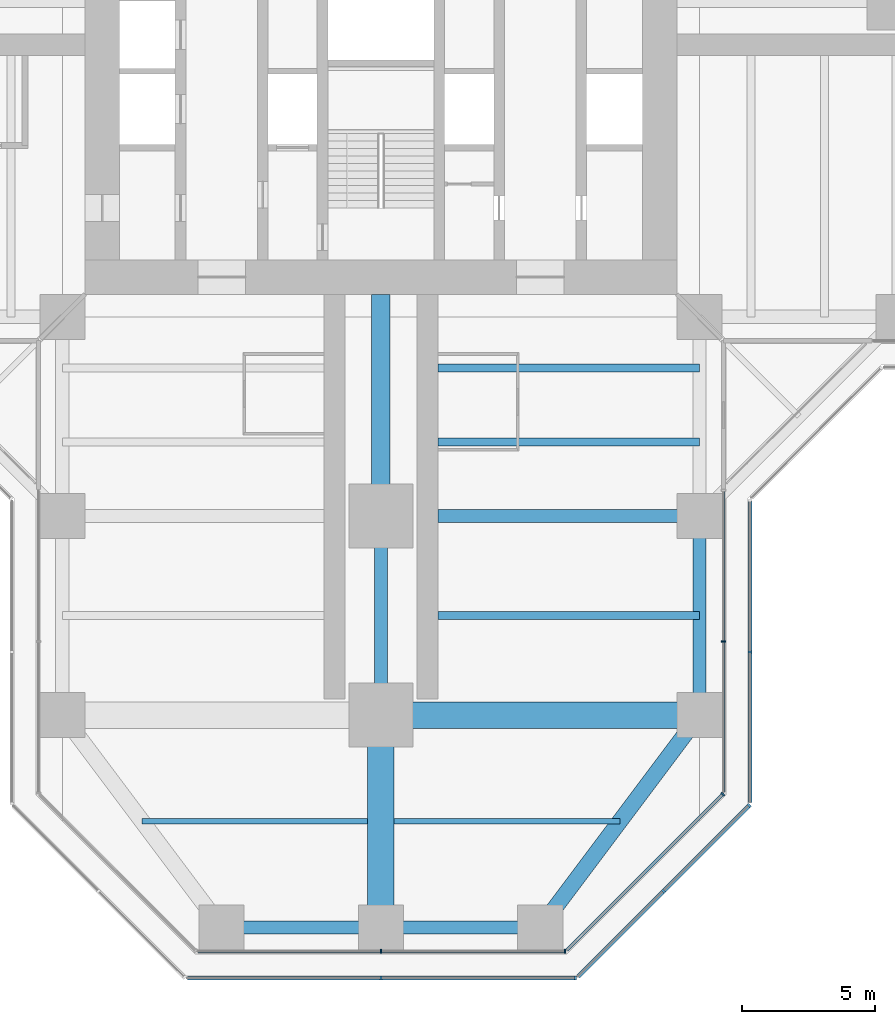
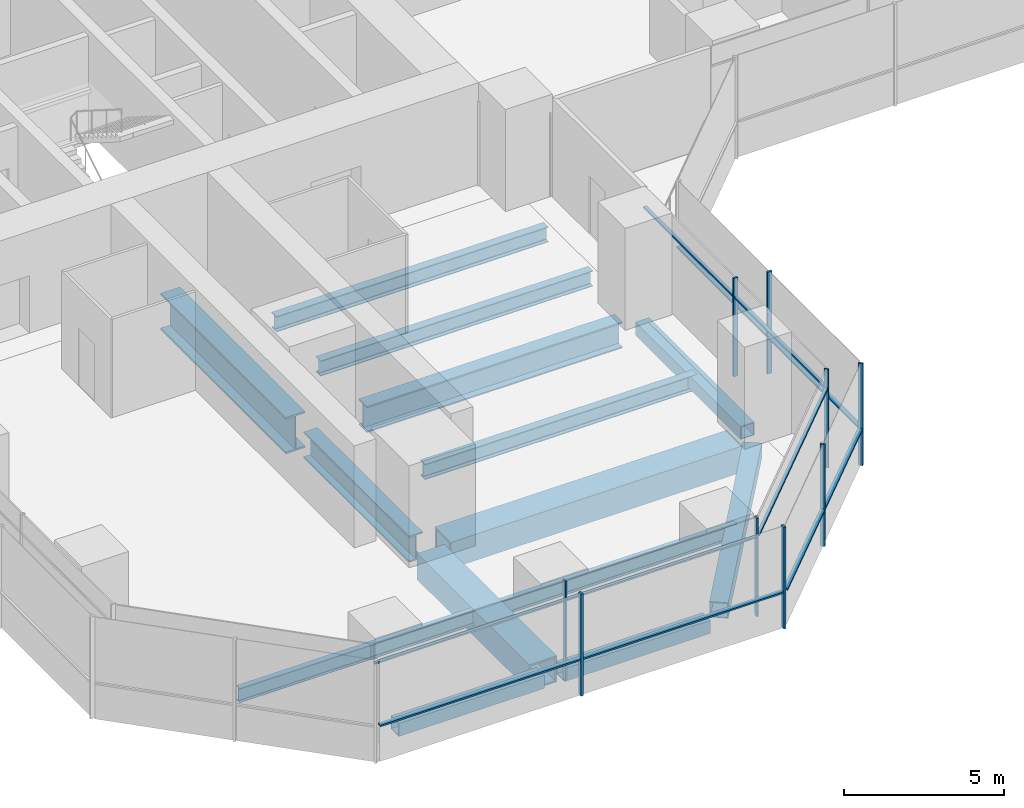
# One storey, part 5 of 22: 20 members, 14 beams, 6 elements without a shape of their own.
"""IFC4 building model written with IfcOpenShell, lengths in metres."""

from ifc_helpers import new_model, si_unit, direction, frame, origin, origin_2d, place, context, subcontext, project, spatial, rectangle, hollow_rectangle, i_section, extrude, material, material_profile, profile_set, type_object, element, aggregate, save


model = new_model("IFC4")

# Units and contexts
model_context = context("Model", 3, precision=1e-05, world=origin(), true_north=direction((0.0, 1.0)))
body_context = subcontext(model_context, "Body", "Model", "MODEL_VIEW")
ifc_project = project(units=[si_unit("LENGTHUNIT", "METRE"), si_unit("AREAUNIT", "SQUARE_METRE"), si_unit("VOLUMEUNIT", "CUBIC_METRE"), si_unit("PLANEANGLEUNIT", "RADIAN"), si_unit("MASSUNIT", "GRAM", prefix="KILO")], contexts=[model_context])

# Site, building, storey
site_placement = place(None, origin())
site = spatial("IfcSite", under=ifc_project, at=site_placement, CompositionType="ELEMENT")
building_placement = place(site_placement, origin())
building = spatial("IfcBuilding", under=site, at=building_placement, Name="Mizan Broadcast Tower", CompositionType="ELEMENT")
storey_placement = place(building_placement, frame((0.0, 0.0, 47.39990234375)))
storey = spatial("IfcBuildingStorey", under=building, at=storey_placement, Name="L08", CompositionType="ELEMENT", Elevation=47.39990234375)

# Beams
ifc_material_1 = material(Name="Steel S355", Category="steel")
ifc_material_profile_1 = material_profile(ifc_material_1, hollow_rectangle(XDim=0.5, YDim=0.5, WallThickness=0.030029296875, at=origin_2d()), Name="BOX 500x500x30")
ifc_profile_set_1 = profile_set([ifc_material_profile_1], Name="Steel S355")
beam_type_1 = type_object("IfcBeamType", Name="EDGE BEAM BOX 500x500x30", PredefinedType="SPANDREL", material=ifc_profile_set_1)
beam_1_placement = place(storey_placement, frame((-5.639892578125, -35.0, -0.3798828125), z_axis=(1.0, 0.0, 0.0), x_axis=(0.0, 1.0, 0.0)))
element("IfcBeam", 1, at=beam_1_placement, inside=storey, type_object=beam_type_1, Name="Edge beam BOX 500x500x30 L08 south arm", PredefinedType="SPANDREL", context=body_context, shape_type="SweptSolid", body=[
    extrude(hollow_rectangle(XDim=0.5, YDim=0.5, WallThickness=0.030029296875, at=origin_2d()), origin(), (0.0, 0.0, 1.0), 5.27978515625),
])
beam_2_placement = place(storey_placement, frame((12.0, -19.949951171875, -0.3798828125), z_axis=(0.0, -1.0, 0.0), x_axis=(1.0, 0.0, 0.0)))
element("IfcBeam", 2, at=beam_2_placement, inside=storey, type_object=beam_type_1, Name="Edge beam BOX 500x500x30 L08 south arm", PredefinedType="SPANDREL", context=body_context, shape_type="SweptSolid", body=[
    extrude(hollow_rectangle(XDim=0.5, YDim=0.5, WallThickness=0.030029296875, at=origin_2d()), origin(), (0.0, 0.0, 1.0), 6.60009765625),
])
beam_3_placement = place(storey_placement, frame((5.639892578125, -35.0, -0.3798828125), z_axis=(-1.0, 0.0, 0.0), x_axis=(0.0, -1.0, 0.0)))
element("IfcBeam", 3, at=beam_3_placement, inside=storey, type_object=beam_type_1, Name="Edge beam BOX 500x500x30 L08 south arm", PredefinedType="SPANDREL", context=body_context, shape_type="SweptSolid", body=[
    extrude(hollow_rectangle(XDim=0.5, YDim=0.5, WallThickness=0.030029296875, at=origin_2d()), origin(), (0.0, 0.0, 1.0), 5.27978515625),
])
ifc_material_2 = material(Name="Steel S355", Category="steel")
ifc_material_profile_2 = material_profile(ifc_material_2, hollow_rectangle(XDim=0.60009765625, YDim=0.60009765625, WallThickness=0.030029296875, at=origin_2d()), Name="BOX 600x600x30")
ifc_profile_set_2 = profile_set([ifc_material_profile_2], Name="Steel S355")
beam_type_2 = type_object("IfcBeamType", Name="EDGE BEAM BOX 600x600x30", PredefinedType="SPANDREL", material=ifc_profile_set_2)
beam_4_placement = place(storey_placement, frame((11.639892578125, -27.47998046875, -0.429931640625), z_axis=(-0.599982243973, -0.800013316712, 0.0), x_axis=(0.800013316712, -0.599982243973, 0.0)))
element("IfcBeam", 4, at=beam_4_placement, inside=storey, type_object=beam_type_2, Name="Edge beam BOX 600x600x30 L08 south arm", PredefinedType="SPANDREL", context=body_context, shape_type="SweptSolid", body=[
    extrude(hollow_rectangle(XDim=0.60009765625, YDim=0.60009765625, WallThickness=0.030029296875, at=origin_2d()), origin(), (0.0, 0.0, 1.0), 8.7998046875),
])
ifc_material_3 = material(Name="Steel S460", Category="steel")
ifc_material_profile_3 = material_profile(ifc_material_3, hollow_rectangle(XDim=1.0, YDim=1.0, WallThickness=0.06005859375, at=origin_2d()), Name="BOX 1000x1000x60")
ifc_profile_set_3 = profile_set([ifc_material_profile_3], Name="Steel S460")
beam_type_3 = type_object("IfcBeamType", Name="GIRDER BOX 1000x1000x60", PredefinedType="BEAM", material=ifc_profile_set_3)
beam_5_placement = place(storey_placement, frame((0.0, -27.47998046875, -0.6298828125), z_axis=(0.0, -1.0, 0.0), x_axis=(1.0, 0.0, 0.0)))
element("IfcBeam", 5, at=beam_5_placement, inside=storey, type_object=beam_type_3, Name="Girder BOX 1000x1000x60 L08 south arm", PredefinedType="BEAM", context=body_context, shape_type="SweptSolid", body=[
    extrude(hollow_rectangle(XDim=1.0, YDim=1.0, WallThickness=0.06005859375, at=origin_2d()), origin(), (0.0, 0.0, 1.0), 7.0400390625),
])
ifc_material_4 = material(Name="Steel S460", Category="steel")
ifc_material_profile_4 = material_profile(ifc_material_4, hollow_rectangle(XDim=1.0, YDim=1.0, WallThickness=0.080078125, at=origin_2d()), Name="BOX 1000x1000x80")
ifc_profile_set_4 = profile_set([ifc_material_profile_4], Name="Steel S460")
beam_type_4 = type_object("IfcBeamType", Name="GIRDER BOX 1000x1000x80", PredefinedType="BEAM", material=ifc_profile_set_4)
beam_6_placement = place(storey_placement, frame((11.280029296875, -27.0, -0.6298828125), z_axis=(-1.0, 0.0, 0.0), x_axis=(0.0, -1.0, 0.0)))
element("IfcBeam", 6, at=beam_6_placement, inside=storey, type_object=beam_type_4, Name="Girder BOX 1000x1000x80 L08 south arm", PredefinedType="BEAM", context=body_context, shape_type="SweptSolid", body=[
    extrude(hollow_rectangle(XDim=1.0, YDim=1.0, WallThickness=0.080078125, at=origin_2d()), origin(), (0.0, 0.0, 1.0), 10.56005859375),
])
ifc_material_5 = material(Name="Steel S460", Category="steel")
ifc_material_profile_5 = material_profile(ifc_material_5, i_section(OverallWidth=0.5, OverallDepth=1.0, WebThickness=0.02490234375, FlangeThickness=0.050048828125, at=origin_2d()), Name="WPG 1000x500")
ifc_profile_set_5 = profile_set([ifc_material_profile_5], Name="Steel S460")
beam_type_5 = type_object("IfcBeamType", Name="GIRDER WPG 1000x500", PredefinedType="BEAM", material=ifc_profile_set_5)
beam_7_placement = place(storey_placement, frame((0.0, -19.949951171875, -0.6298828125), z_axis=(0.0, -1.0, 0.0), x_axis=(1.0, 0.0, 0.0)))
element("IfcBeam", 7, at=beam_7_placement, inside=storey, type_object=beam_type_5, Name="Girder WPG 1000x500 L08 south arm", PredefinedType="BEAM", context=body_context, shape_type="SweptSolid", body=[
    extrude(i_section(OverallWidth=0.5, OverallDepth=1.0, WebThickness=0.02490234375, FlangeThickness=0.050048828125, at=origin_2d()), origin(), (0.0, 0.0, 1.0), 6.60009765625),
])
beam_8_placement = place(storey_placement, frame((11.408935546875, -19.5, -0.6298828125), z_axis=(-1.0, 0.0, 0.0), x_axis=(0.0, -1.0, 0.0)))
element("IfcBeam", 8, at=beam_8_placement, inside=storey, type_object=beam_type_5, Name="Girder WPG 1000x500 L08 south arm", PredefinedType="BEAM", context=body_context, shape_type="SweptSolid", body=[
    extrude(i_section(OverallWidth=0.5, OverallDepth=1.0, WebThickness=0.02490234375, FlangeThickness=0.050048828125, at=origin_2d()), origin(), (0.0, 0.0, 1.0), 9.259033203125),
])
ifc_material_6 = material(Name="Steel S460", Category="steel")
ifc_material_profile_6 = material_profile(ifc_material_6, i_section(OverallWidth=0.699951171875, OverallDepth=1.39990234375, WebThickness=0.030029296875, FlangeThickness=0.070068359375, at=origin_2d()), Name="WPG 1400x700")
ifc_profile_set_6 = profile_set([ifc_material_profile_6], Name="Steel S460")
beam_type_6 = type_object("IfcBeamType", Name="GIRDER WPG 1400x700", PredefinedType="BEAM", material=ifc_profile_set_6)
beam_9_placement = place(storey_placement, frame((0.0, -11.14990234375, -0.829833984375), z_axis=(0.0, -1.0, 0.0), x_axis=(1.0, 0.0, 0.0)))
element("IfcBeam", 9, at=beam_9_placement, inside=storey, type_object=beam_type_6, Name="Girder WPG 1400x700 L08 south arm", PredefinedType="BEAM", context=body_context, shape_type="SweptSolid", body=[
    extrude(i_section(OverallWidth=0.699951171875, OverallDepth=1.39990234375, WebThickness=0.030029296875, FlangeThickness=0.070068359375, at=origin_2d()), origin(), (0.0, 0.0, 1.0), 7.84912109375),
])

# Curtain wall, members
ifc_material_7 = material(Name="Aluminium framed glazing", Category="aluminium")
curtain_wall_type_1 = type_object("IfcCurtainWallType", Name="INNER SKIN LOW ZONE", PredefinedType="USERDEFINED", material=ifc_material_7)
curtain_wall_1_placement = place(storey_placement, origin())
curtain_wall_1 = element("IfcCurtainWall", 10, at=curtain_wall_1_placement, inside=storey, type_object=curtain_wall_type_1, Name="Inner skin low zone L08 S end", ObjectType="INNER SKIN LOW ZONE", PredefinedType="USERDEFINED")
ifc_material_8 = material(Name="Aluminium, pale anodised", Category="aluminium")
ifc_material_profile_7 = material_profile(ifc_material_8, rectangle(XDim=0.159912109375, YDim=0.06005859375, at=origin_2d()), Name="MULLION 160x60")
ifc_profile_set_7 = profile_set([ifc_material_profile_7], Name="Aluminium, pale anodised")
member_type_1 = type_object("IfcMemberType", Name="INNER SKIN MULLION 60x160", PredefinedType="MULLION", material=ifc_profile_set_7)
member_1_placement = place(storey_placement, frame((0.0, -35.89990234375, 0.0), z_axis=(0.0, 0.0, 1.0), x_axis=(0.0, 1.0, 0.0)))
member_1 = element("IfcMember", 11, at=member_1_placement, type_object=member_type_1, Name="Inner skin low zone L08 S end mullion 2", PredefinedType="MULLION", context=body_context, shape_type="SweptSolid", body=[
    extrude(rectangle(XDim=0.159912109375, YDim=0.06005859375, at=origin_2d()), origin(), (0.0, 0.0, 1.0), 3.77001953125),
])
member_2_placement = place(storey_placement, frame((6.928466796875, -35.89990234375, 0.0), z_axis=(0.0, 0.0, 1.0), x_axis=(0.0, 1.0, 0.0)))
member_2 = element("IfcMember", 12, at=member_2_placement, type_object=member_type_1, Name="Inner skin low zone L08 S end mullion 3", PredefinedType="MULLION", context=body_context, shape_type="SweptSolid", body=[
    extrude(rectangle(XDim=0.159912109375, YDim=0.06005859375, at=origin_2d()), origin(), (0.0, 0.0, 1.0), 3.77001953125),
])

# Curtain wall, member
curtain_wall_2_placement = place(storey_placement, origin())
curtain_wall_2 = element("IfcCurtainWall", 13, at=curtain_wall_2_placement, inside=storey, type_object=curtain_wall_type_1, Name="Inner skin low zone L08 S chamfer", ObjectType="INNER SKIN LOW ZONE", PredefinedType="USERDEFINED")
member_3_placement = place(storey_placement, frame((12.87890625, -29.979736328125, 0.0), z_axis=(0.0, 0.0, 1.0), x_axis=(-0.707106781187, 0.707106781187, 0.0)))
member_3 = element("IfcMember", 14, at=member_3_placement, type_object=member_type_1, Name="Inner skin low zone L08 S chamfer mullion 2", PredefinedType="MULLION", context=body_context, shape_type="SweptSolid", body=[
    extrude(rectangle(XDim=0.159912109375, YDim=0.06005859375, at=origin_2d()), origin(), (0.0, 0.0, 1.0), 3.77001953125),
])

curtain_wall_3_placement = place(storey_placement, origin())
curtain_wall_3 = element("IfcCurtainWall", 15, at=curtain_wall_3_placement, inside=storey, type_object=curtain_wall_type_1, Name="Inner skin low zone L08 S side", ObjectType="INNER SKIN LOW ZONE", PredefinedType="USERDEFINED")
member_4_placement = place(storey_placement, frame((12.89990234375, -24.229248046875, 0.0), z_axis=(0.0, 0.0, 1.0), x_axis=(-1.0, 0.0, 0.0)))
member_4 = element("IfcMember", 16, at=member_4_placement, type_object=member_type_1, Name="Inner skin low zone L08 S side mullion 2", PredefinedType="MULLION", context=body_context, shape_type="SweptSolid", body=[
    extrude(rectangle(XDim=0.159912109375, YDim=0.06005859375, at=origin_2d()), origin(), (0.0, 0.0, 1.0), 3.77001953125),
])

# Member
ifc_material_9 = material(Name="Aluminium, pale anodised", Category="aluminium")
ifc_material_profile_8 = material_profile(ifc_material_9, rectangle(XDim=0.1201171875, YDim=0.06005859375, at=origin_2d()), Name="TRANSOM 120x60")
ifc_profile_set_8 = profile_set([ifc_material_profile_8], Name="Aluminium, pale anodised")
member_type_2 = type_object("IfcMemberType", Name="INNER SKIN TRANSOM 60x120", PredefinedType="USERDEFINED", material=ifc_profile_set_8)
member_5_placement = place(storey_placement, frame((-6.898681640625, -35.89990234375, 3.030029296875), z_axis=(1.0, 0.0, 0.0), x_axis=(0.0, 1.0, 0.0)))
member_5 = element("IfcMember", 17, at=member_5_placement, type_object=member_type_2, Name="Inner skin low zone L08 S end transom 1.1", ObjectType="TRANSOM", PredefinedType="USERDEFINED", context=body_context, shape_type="SweptSolid", body=[
    extrude(rectangle(XDim=0.1201171875, YDim=0.06005859375, at=origin_2d()), origin(), (0.0, 0.0, 1.0), 6.86865234375),
])

member_6_placement = place(storey_placement, frame((0.030029296875, -35.89990234375, 3.030029296875), z_axis=(1.0, 0.0, 0.0), x_axis=(0.0, 1.0, 0.0)))
member_6 = element("IfcMember", 18, at=member_6_placement, type_object=member_type_2, Name="Inner skin low zone L08 S end transom 2.1", ObjectType="TRANSOM", PredefinedType="USERDEFINED", context=body_context, shape_type="SweptSolid", body=[
    extrude(rectangle(XDim=0.1201171875, YDim=0.06005859375, at=origin_2d()), origin(), (0.0, 0.0, 1.0), 6.86865234375),
])

aggregate(curtain_wall_1, [member_1, member_2, member_5, member_6])

member_7_placement = place(storey_placement, frame((7.0009765625, -35.857666015625, 3.030029296875), z_axis=(0.707106781187, 0.707106781187, 0.0), x_axis=(-0.707106781187, 0.707106781187, 0.0)))
member_7 = element("IfcMember", 19, at=member_7_placement, type_object=member_type_2, Name="Inner skin low zone L08 S chamfer transom 1.1", ObjectType="TRANSOM", PredefinedType="USERDEFINED", context=body_context, shape_type="SweptSolid", body=[
    extrude(rectangle(XDim=0.1201171875, YDim=0.06005859375, at=origin_2d()), origin(), (0.0, 0.0, 1.0), 8.28271484375),
])

aggregate(curtain_wall_2, [member_3, member_7])

member_8_placement = place(storey_placement, frame((12.89990234375, -29.898681640625, 3.030029296875), z_axis=(0.0, 1.0, 0.0), x_axis=(-1.0, 0.0, 0.0)))
member_8 = element("IfcMember", 20, at=member_8_placement, type_object=member_type_2, Name="Inner skin low zone L08 S side transom 1.1", ObjectType="TRANSOM", PredefinedType="USERDEFINED", context=body_context, shape_type="SweptSolid", body=[
    extrude(rectangle(XDim=0.1201171875, YDim=0.06005859375, at=origin_2d()), origin(), (0.0, 0.0, 1.0), 5.639404296875),
])

member_9_placement = place(storey_placement, frame((12.89990234375, -24.19921875, 3.030029296875), z_axis=(0.0, 1.0, 0.0), x_axis=(-1.0, 0.0, 0.0)))
member_9 = element("IfcMember", 21, at=member_9_placement, type_object=member_type_2, Name="Inner skin low zone L08 S side transom 2.1", ObjectType="TRANSOM", PredefinedType="USERDEFINED", context=body_context, shape_type="SweptSolid", body=[
    extrude(rectangle(XDim=0.1201171875, YDim=0.06005859375, at=origin_2d()), origin(), (0.0, 0.0, 1.0), 5.63916015625),
])

aggregate(curtain_wall_3, [member_4, member_8, member_9])

# Curtain wall, members
ifc_material_10 = material(Name="Aluminium framed glazing", Category="aluminium")
curtain_wall_type_2 = type_object("IfcCurtainWallType", Name="OUTER SKIN", PredefinedType="USERDEFINED", material=ifc_material_10)
curtain_wall_4_placement = place(storey_placement, origin())
curtain_wall_4 = element("IfcCurtainWall", 22, at=curtain_wall_4_placement, inside=storey, type_object=curtain_wall_type_2, Name="Outer skin L08 S end", ObjectType="OUTER SKIN", PredefinedType="USERDEFINED")
ifc_material_11 = material(Name="Aluminium, pale anodised", Category="aluminium")
ifc_material_profile_9 = material_profile(ifc_material_11, rectangle(XDim=0.159912109375, YDim=0.080078125, at=origin_2d()), Name="MULLION 160x80")
ifc_profile_set_9 = profile_set([ifc_material_profile_9], Name="Aluminium, pale anodised")
member_type_3 = type_object("IfcMemberType", Name="OUTER SKIN MULLION 80x160", PredefinedType="MULLION", material=ifc_profile_set_9)
member_10_placement = place(storey_placement, frame((0.0, -36.89990234375, 0.0), z_axis=(0.0, 0.0, 1.0), x_axis=(0.0, 1.0, 0.0)))
member_10 = element("IfcMember", 23, at=member_10_placement, type_object=member_type_3, Name="Outer skin L08 S end mullion 2", PredefinedType="MULLION", context=body_context, shape_type="SweptSolid", body=[
    extrude(rectangle(XDim=0.159912109375, YDim=0.080078125, at=origin_2d()), origin(), (0.0, 0.0, 1.0), 3.900146484375),
])
member_11_placement = place(storey_placement, frame((7.332763671875, -36.89990234375, 0.0), z_axis=(0.0, 0.0, 1.0), x_axis=(0.0, 1.0, 0.0)))
member_11 = element("IfcMember", 24, at=member_11_placement, type_object=member_type_3, Name="Outer skin L08 S end mullion 3", PredefinedType="MULLION", context=body_context, shape_type="SweptSolid", body=[
    extrude(rectangle(XDim=0.159912109375, YDim=0.080078125, at=origin_2d()), origin(), (0.0, 0.0, 1.0), 3.900146484375),
])

curtain_wall_5_placement = place(storey_placement, origin())
curtain_wall_5 = element("IfcCurtainWall", 25, at=curtain_wall_5_placement, inside=storey, type_object=curtain_wall_type_2, Name="Outer skin L08 S chamfer", ObjectType="OUTER SKIN", PredefinedType="USERDEFINED")
member_12_placement = place(storey_placement, frame((10.636474609375, -33.636474609375, 0.0), z_axis=(0.0, 0.0, 1.0), x_axis=(-0.707106781187, 0.707106781187, 0.0)))
member_12 = element("IfcMember", 26, at=member_12_placement, type_object=member_type_3, Name="Outer skin L08 S chamfer mullion 2", PredefinedType="MULLION", context=body_context, shape_type="SweptSolid", body=[
    extrude(rectangle(XDim=0.159912109375, YDim=0.080078125, at=origin_2d()), origin(), (0.0, 0.0, 1.0), 3.900146484375),
])
member_13_placement = place(storey_placement, frame((13.871826171875, -30.401123046875, 0.0), z_axis=(0.0, 0.0, 1.0), x_axis=(-0.707106781187, 0.707106781187, 0.0)))
member_13 = element("IfcMember", 27, at=member_13_placement, type_object=member_type_3, Name="Outer skin L08 S chamfer mullion 3", PredefinedType="MULLION", context=body_context, shape_type="SweptSolid", body=[
    extrude(rectangle(XDim=0.159912109375, YDim=0.080078125, at=origin_2d()), origin(), (0.0, 0.0, 1.0), 3.900146484375),
])

# Curtain wall, member
curtain_wall_6_placement = place(storey_placement, origin())
curtain_wall_6 = element("IfcCurtainWall", 28, at=curtain_wall_6_placement, inside=storey, type_object=curtain_wall_type_2, Name="Outer skin L08 S side", ObjectType="OUTER SKIN", PredefinedType="USERDEFINED")
member_14_placement = place(storey_placement, frame((13.89990234375, -24.622802734375, 0.0), z_axis=(0.0, 0.0, 1.0), x_axis=(-1.0, 0.0, 0.0)))
member_14 = element("IfcMember", 29, at=member_14_placement, type_object=member_type_3, Name="Outer skin L08 S side mullion 2", PredefinedType="MULLION", context=body_context, shape_type="SweptSolid", body=[
    extrude(rectangle(XDim=0.159912109375, YDim=0.080078125, at=origin_2d()), origin(), (0.0, 0.0, 1.0), 3.900146484375),
])

# Member
ifc_material_12 = material(Name="Aluminium, pale anodised", Category="aluminium")
ifc_material_profile_10 = material_profile(ifc_material_12, rectangle(XDim=0.159912109375, YDim=0.06005859375, at=origin_2d()), Name="TRANSOM 160x60")
ifc_profile_set_10 = profile_set([ifc_material_profile_10], Name="Aluminium, pale anodised")
member_type_4 = type_object("IfcMemberType", Name="OUTER SKIN TRANSOM 60x160", PredefinedType="USERDEFINED", material=ifc_profile_set_10)
member_15_placement = place(storey_placement, frame((-7.292724609375, -36.89990234375, 1.400146484375), z_axis=(1.0, 0.0, 0.0), x_axis=(0.0, 1.0, 0.0)))
member_15 = element("IfcMember", 30, at=member_15_placement, type_object=member_type_4, Name="Outer skin L08 S end transom 1.1", ObjectType="TRANSOM", PredefinedType="USERDEFINED", context=body_context, shape_type="SweptSolid", body=[
    extrude(rectangle(XDim=0.159912109375, YDim=0.06005859375, at=origin_2d()), origin(), (0.0, 0.0, 1.0), 7.252685546875),
])

member_16_placement = place(storey_placement, frame((0.0400390625, -36.89990234375, 1.400146484375), z_axis=(1.0, 0.0, 0.0), x_axis=(0.0, 1.0, 0.0)))
member_16 = element("IfcMember", 31, at=member_16_placement, type_object=member_type_4, Name="Outer skin L08 S end transom 2.1", ObjectType="TRANSOM", PredefinedType="USERDEFINED", context=body_context, shape_type="SweptSolid", body=[
    extrude(rectangle(XDim=0.159912109375, YDim=0.06005859375, at=origin_2d()), origin(), (0.0, 0.0, 1.0), 7.252685546875),
])

aggregate(curtain_wall_4, [member_10, member_11, member_15, member_16])

member_17_placement = place(storey_placement, frame((7.429443359375, -36.843505859375, 1.400146484375), z_axis=(0.707106781187, 0.707106781187, 0.0), x_axis=(-0.707106781187, 0.707106781187, 0.0)))
member_17 = element("IfcMember", 32, at=member_17_placement, type_object=member_type_4, Name="Outer skin L08 S chamfer transom 1.1", ObjectType="TRANSOM", PredefinedType="USERDEFINED", context=body_context, shape_type="SweptSolid", body=[
    extrude(rectangle(XDim=0.159912109375, YDim=0.06005859375, at=origin_2d()), origin(), (0.0, 0.0, 1.0), 4.495361328125),
])

member_18_placement = place(storey_placement, frame((10.664794921875, -33.608154296875, 1.400146484375), z_axis=(0.707106781187, 0.707106781187, 0.0), x_axis=(-0.707106781187, 0.707106781187, 0.0)))
member_18 = element("IfcMember", 33, at=member_18_placement, type_object=member_type_4, Name="Outer skin L08 S chamfer transom 2.1", ObjectType="TRANSOM", PredefinedType="USERDEFINED", context=body_context, shape_type="SweptSolid", body=[
    extrude(rectangle(XDim=0.159912109375, YDim=0.06005859375, at=origin_2d()), origin(), (0.0, 0.0, 1.0), 4.495361328125),
])

aggregate(curtain_wall_5, [member_12, member_13, member_17, member_18])

member_19_placement = place(storey_placement, frame((13.89990234375, -30.292724609375, 1.400146484375), z_axis=(0.0, 1.0, 0.0), x_axis=(-1.0, 0.0, 0.0)))
member_19 = element("IfcMember", 34, at=member_19_placement, type_object=member_type_4, Name="Outer skin L08 S side transom 1.1", ObjectType="TRANSOM", PredefinedType="USERDEFINED", context=body_context, shape_type="SweptSolid", body=[
    extrude(rectangle(XDim=0.159912109375, YDim=0.06005859375, at=origin_2d()), origin(), (0.0, 0.0, 1.0), 5.6298828125),
])

member_20_placement = place(storey_placement, frame((13.89990234375, -24.582763671875, 1.400146484375), z_axis=(0.0, 1.0, 0.0), x_axis=(-1.0, 0.0, 0.0)))
member_20 = element("IfcMember", 35, at=member_20_placement, type_object=member_type_4, Name="Outer skin L08 S side transom 2.1", ObjectType="TRANSOM", PredefinedType="USERDEFINED", context=body_context, shape_type="SweptSolid", body=[
    extrude(rectangle(XDim=0.159912109375, YDim=0.06005859375, at=origin_2d()), origin(), (0.0, 0.0, 1.0), 5.6298828125),
])

aggregate(curtain_wall_6, [member_14, member_19, member_20])

# Beams
ifc_material_13 = material(Name="Steel S355", Category="steel")
ifc_material_profile_11 = material_profile(ifc_material_13, i_section(OverallWidth=0.300048828125, OverallDepth=0.590087890625, WebThickness=0.012939453125, FlangeThickness=0.02490234375, FilletRadius=0.027099609375, at=origin_2d()), Name="HEA 600")
ifc_profile_set_11 = profile_set([ifc_material_profile_11], Name="Steel S355")
beam_type_7 = type_object("IfcBeamType", Name="SECONDARY BEAM HEA 600", PredefinedType="JOIST", material=ifc_profile_set_11)
for number, where, z_axis, x_axis, name in (
    (36, (12.0, -13.933349609375, -0.4248046875), (-1.0, 0.0, 0.0), (0.0, -1.0, 0.0), "Secondary beam HEA 600 L08 south arm"),
    (37, (12.0, -16.716552734375, -0.4248046875), (-1.0, 0.0, 0.0), (0.0, -1.0, 0.0), "Secondary beam HEA 600 L08 south arm"),
    (38, (12.0, -23.25, -0.4248046875), (-1.0, 0.0, 0.0), (0.0, -1.0, 0.0), "Secondary beam HEA 600 L08 south arm"),
):
    element("IfcBeam", number, at=place(storey_placement, frame(where, z_axis=z_axis, x_axis=x_axis)), inside=storey, type_object=beam_type_7, Name=name, PredefinedType="JOIST", context=body_context, shape_type="SweptSolid", body=[
        extrude(i_section(OverallWidth=0.300048828125, OverallDepth=0.590087890625, WebThickness=0.012939453125, FlangeThickness=0.02490234375, FilletRadius=0.027099609375, at=origin_2d()), origin(), (0.0, 0.0, 1.0), 9.85009765625),
    ])
ifc_material_14 = material(Name="Steel S355", Category="steel")
ifc_material_profile_12 = material_profile(ifc_material_14, i_section(OverallWidth=0.2099609375, OverallDepth=0.550048828125, WebThickness=0.010986328125, FlangeThickness=0.01708984375, FilletRadius=0.02392578125, at=origin_2d()), Name="IPE 550")
ifc_profile_set_12 = profile_set([ifc_material_profile_12], Name="Steel S355")
beam_type_8 = type_object("IfcBeamType", Name="SECONDARY BEAM IPE 550", PredefinedType="JOIST", material=ifc_profile_set_12)
for number, where, z_axis, x_axis, name in (
    (39, (-9.0, -31.0, -0.40478515625), (1.0, 0.0, 0.0), (0.0, 1.0, 0.0), "Secondary beam IPE 550 L08 south arm"),
    (40, (9.0, -31.0, -0.40478515625), (-1.0, 0.0, 0.0), (0.0, -1.0, 0.0), "Secondary beam IPE 550 L08 south arm"),
):
    element("IfcBeam", number, at=place(storey_placement, frame(where, z_axis=z_axis, x_axis=x_axis)), inside=storey, type_object=beam_type_8, Name=name, PredefinedType="JOIST", context=body_context, shape_type="SweptSolid", body=[
        extrude(i_section(OverallWidth=0.2099609375, OverallDepth=0.550048828125, WebThickness=0.010986328125, FlangeThickness=0.01708984375, FilletRadius=0.02392578125, at=origin_2d()), origin(), (0.0, 0.0, 1.0), 8.5),
    ])

save(model, "model.ifc")
